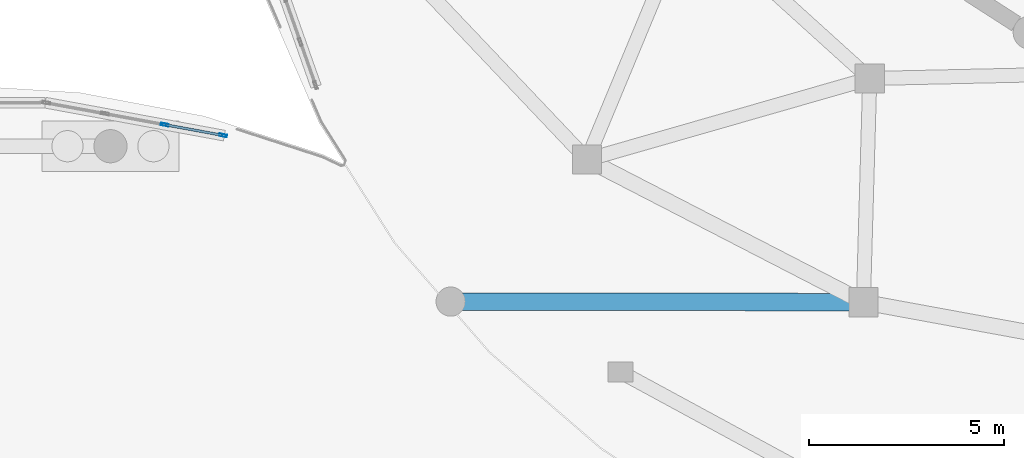
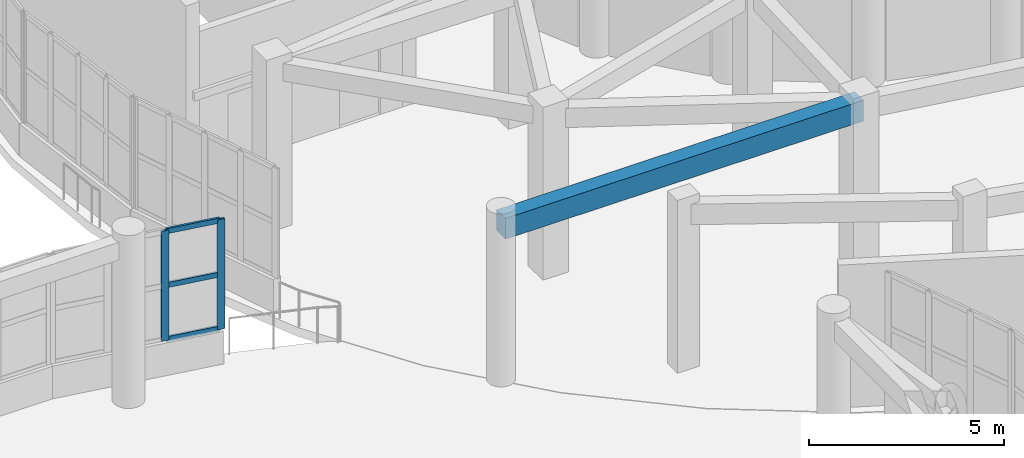
# One storey, part 38 of 96: 5 members, 1 beam, 1 element without a shape of its own.
"""IFC4 building model written with IfcOpenShell, lengths in metres."""

from ifc_helpers import new_model, si_unit, direction, frame, origin, origin_2d, place, context, subcontext, project, spatial, rectangle, hollow_rectangle, extrude, material, layer, layer_set, material_profile, profile_set, type_object, element, aggregate, save


model = new_model("IFC4")

# Units and contexts
model_context = context("Model", 3, precision=1e-05, world=origin(), true_north=direction((0.0, 1.0)))
body_context = subcontext(model_context, "Body", "Model", "MODEL_VIEW")
ifc_project = project(units=[si_unit("LENGTHUNIT", "METRE"), si_unit("AREAUNIT", "SQUARE_METRE"), si_unit("VOLUMEUNIT", "CUBIC_METRE"), si_unit("PLANEANGLEUNIT", "RADIAN"), si_unit("MASSUNIT", "GRAM", prefix="KILO")], contexts=[model_context])

# Site, building, storey
site_placement = place(None, origin())
site = spatial("IfcSite", under=ifc_project, at=site_placement, CompositionType="ELEMENT")
building_placement = place(site_placement, origin())
building = spatial("IfcBuilding", under=site, at=building_placement, Name="Pelvatis Terrace Science Centre", CompositionType="ELEMENT")
storey_placement = place(building_placement, origin())
storey = spatial("IfcBuildingStorey", under=building, at=storey_placement, Name="L00", CompositionType="ELEMENT", Elevation=0.0)

# Beam
ifc_material_1 = material(Name="Concrete C35/45", Category="concrete")
ifc_material_profile_1 = material_profile(ifc_material_1, rectangle(XDim=0.449951171875, YDim=0.64990234375, at=origin_2d()), Name="RC-BM 450x650")
ifc_profile_set_1 = profile_set([ifc_material_profile_1], Name="Concrete C35/45")
beam_type = type_object("IfcBeamType", Name="BM-RC-450x650", PredefinedType="BEAM", material=ifc_profile_set_1)
beam_placement = place(storey_placement, frame((89.132568359375, 67.44775390625, 4.81494140625), z_axis=(0.999999193473, -0.00127006017, 0.0), x_axis=(0.00127006017, 0.999999193473, 0.0)))
element("IfcBeam", 1, at=beam_placement, inside=storey, type_object=beam_type, Name="Beam BM-L00-2205", PredefinedType="BEAM", context=body_context, shape_type="SweptSolid", body=[
    extrude(rectangle(XDim=0.449951171875, YDim=0.64990234375, at=origin_2d()), origin(), (0.0, 0.0, 1.0), 10.572509765625),
])

# Curtain wall, members
ifc_material_2 = material(Name="Bronze-anodised aluminium and laminated glass", Category="aluminium")
ifc_layer = layer(ifc_material_2, 0.199951171875)
ifc_layer_set = layer_set([ifc_layer], Name="Bronze-anodised aluminium and laminated glass")
curtain_wall_type = type_object("IfcCurtainWallType", Name="CW-RIBBON-B", PredefinedType="NOTDEFINED", material=ifc_layer_set)
curtain_wall_placement = place(storey_placement, origin())
curtain_wall = element("IfcCurtainWall", 2, at=curtain_wall_placement, inside=storey, type_object=curtain_wall_type, Name="Ribbon curtain wall CW-045 (L00)", PredefinedType="NOTDEFINED")
ifc_material_3 = material(Name="Bronze-anodised aluminium 6063-T6", Category="aluminium")
ifc_material_profile_2 = material_profile(ifc_material_3, hollow_rectangle(XDim=0.06494140625, YDim=0.199951171875, WallThickness=0.00439453125, at=origin_2d()), Name="ALU-MUL 65x200")
ifc_profile_set_2 = profile_set([ifc_material_profile_2], Name="Bronze-anodised aluminium 6063-T6")
member_type_1 = type_object("IfcMemberType", Name="CWM-65x200", PredefinedType="MULLION", material=ifc_profile_set_2)
member_1_placement = place(storey_placement, frame((83.305419921875, 71.703857421875, 1.02001953125), z_axis=(0.0, 0.0, 1.0), x_axis=(-0.181130259216, -0.983459114146, 0.0)))
member_1 = element("IfcMember", 3, at=member_1_placement, type_object=member_type_1, Name="CW-045 mullion 1", PredefinedType="MULLION", context=body_context, shape_type="SweptSolid", body=[
    extrude(hollow_rectangle(XDim=0.06494140625, YDim=0.199951171875, WallThickness=0.00439453125, at=origin_2d()), origin(), (0.0, 0.0, 1.0), 3.43994140625),
])
member_2_placement = place(storey_placement, frame((81.80712890625, 71.979736328125, 1.02001953125), z_axis=(0.0, 0.0, 1.0), x_axis=(-0.181130259216, -0.983459114146, 0.0)))
member_2 = element("IfcMember", 4, at=member_2_placement, type_object=member_type_1, Name="CW-045 mullion 2", PredefinedType="MULLION", context=body_context, shape_type="SweptSolid", body=[
    extrude(hollow_rectangle(XDim=0.06494140625, YDim=0.199951171875, WallThickness=0.00439453125, at=origin_2d()), origin(), (0.0, 0.0, 1.0), 3.43994140625),
])
ifc_material_4 = material(Name="Bronze-anodised aluminium 6063-T6", Category="aluminium")
ifc_material_profile_3 = material_profile(ifc_material_4, hollow_rectangle(XDim=0.06494140625, YDim=0.159912109375, WallThickness=0.00390625, at=origin_2d()), Name="ALU-TRN 65x160")
ifc_profile_set_3 = profile_set([ifc_material_profile_3], Name="Bronze-anodised aluminium 6063-T6")
member_type_2 = type_object("IfcMemberType", Name="CWT-65x160", PredefinedType="USERDEFINED", material=ifc_profile_set_3)
member_3_placement = place(storey_placement, frame((83.2734375, 71.709716796875, 1.052490234375), z_axis=(-0.9834602515, 0.181124083766, 0.0), x_axis=(-0.181124083766, -0.9834602515, 0.0)))
member_3 = element("IfcMember", 5, at=member_3_placement, type_object=member_type_2, Name="CW-045 transom 1.1", ObjectType="TRANSOM", PredefinedType="USERDEFINED", context=body_context, shape_type="SweptSolid", body=[
    extrude(hollow_rectangle(XDim=0.06494140625, YDim=0.159912109375, WallThickness=0.00390625, at=origin_2d()), origin(), (0.0, 0.0, 1.0), 1.45849609375),
])
member_4_placement = place(storey_placement, frame((83.2734375, 71.709716796875, 2.739990234375), z_axis=(-0.9834602515, 0.181124083766, 0.0), x_axis=(-0.181124083766, -0.9834602515, 0.0)))
member_4 = element("IfcMember", 6, at=member_4_placement, type_object=member_type_2, Name="CW-045 transom 1.2", ObjectType="TRANSOM", PredefinedType="USERDEFINED", context=body_context, shape_type="SweptSolid", body=[
    extrude(hollow_rectangle(XDim=0.06494140625, YDim=0.159912109375, WallThickness=0.00390625, at=origin_2d()), origin(), (0.0, 0.0, 1.0), 1.45849609375),
])
member_5_placement = place(storey_placement, frame((83.2734375, 71.709716796875, 4.427490234375), z_axis=(-0.9834602515, 0.181124083766, 0.0), x_axis=(-0.181124083766, -0.9834602515, 0.0)))
member_5 = element("IfcMember", 7, at=member_5_placement, type_object=member_type_2, Name="CW-045 transom 1.3", ObjectType="TRANSOM", PredefinedType="USERDEFINED", context=body_context, shape_type="SweptSolid", body=[
    extrude(hollow_rectangle(XDim=0.06494140625, YDim=0.159912109375, WallThickness=0.00390625, at=origin_2d()), origin(), (0.0, 0.0, 1.0), 1.45849609375),
])
aggregate(curtain_wall, [member_1, member_2, member_3, member_4, member_5])

save(model, "model.ifc")
